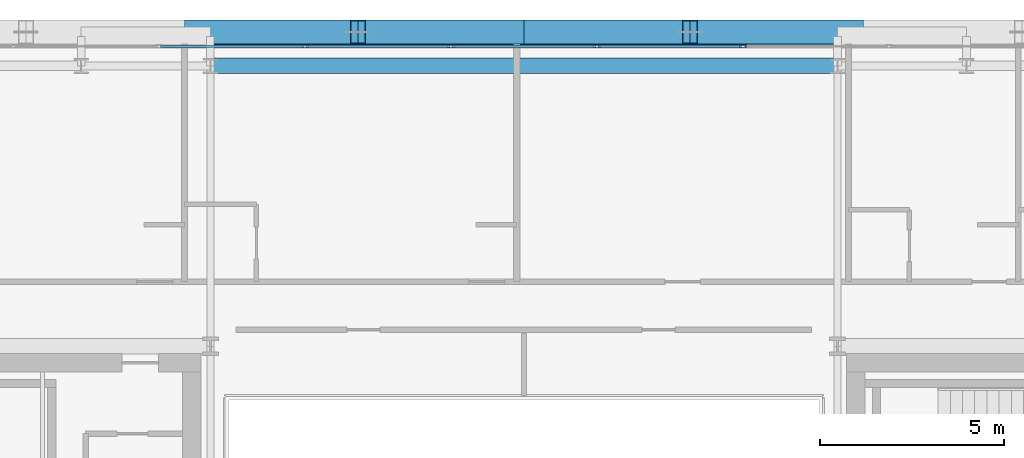
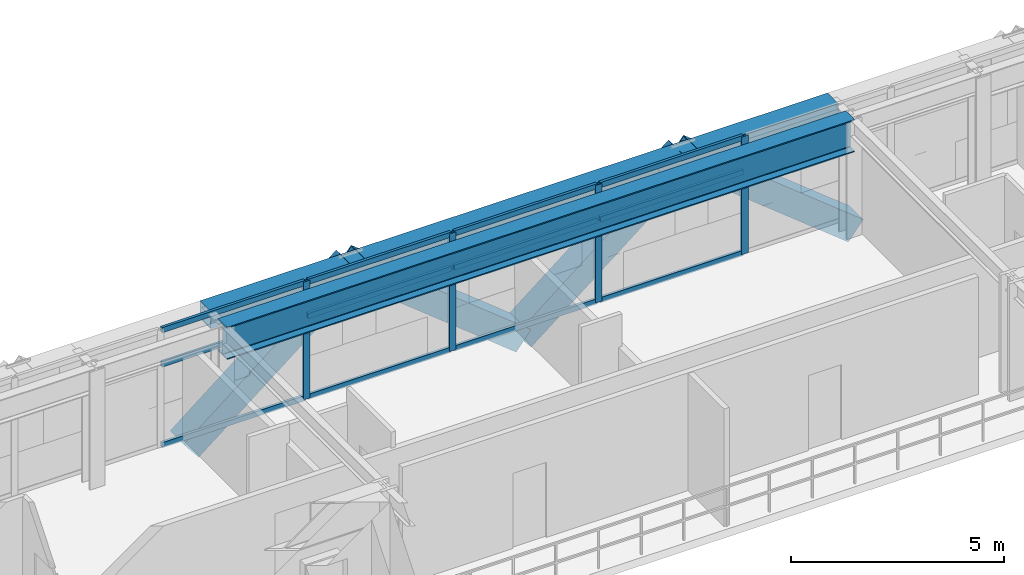
# One storey, part 17 of 31: 20 members, 2 beams, 1 element without a shape of its own.
"""IFC4 building model written with IfcOpenShell, lengths in metres."""

from ifc_helpers import new_model, si_unit, direction, frame, origin, origin_2d, place, context, subcontext, project, spatial, hollow_rectangle, i_section, extrude, source, transform, mapped, material, layer, layer_set, material_profile, profile_set, type_object, element, aggregate, save


model = new_model("IFC4")

# Units and contexts
model_context = context("Model", 3, precision=1e-05, world=origin(), true_north=direction((0.0, 1.0)))
body_context = subcontext(model_context, "Body", "Model", "MODEL_VIEW")
ifc_project = project(units=[si_unit("LENGTHUNIT", "METRE"), si_unit("AREAUNIT", "SQUARE_METRE"), si_unit("VOLUMEUNIT", "CUBIC_METRE"), si_unit("PLANEANGLEUNIT", "RADIAN"), si_unit("MASSUNIT", "GRAM", prefix="KILO")], contexts=[model_context])

# Site, building, storey
site_placement = place(None, origin())
site = spatial("IfcSite", under=ifc_project, at=site_placement, CompositionType="ELEMENT")
building_placement = place(site_placement, origin())
building = spatial("IfcBuilding", under=site, at=building_placement, Name="Ocotamira Hotel", CompositionType="ELEMENT")
storey_placement = place(building_placement, frame((0.0, 0.0, 174.0)))
storey = spatial("IfcBuildingStorey", under=building, at=storey_placement, Name="L43", CompositionType="ELEMENT", Elevation=174.0)

# Beams
ifc_material_1 = material(Name="Steel ASTM A992 Grade 50", Category="steel")
ifc_material_profile_1 = material_profile(ifc_material_1, i_section(OverallWidth=0.41796875, OverallDepth=0.927001953125, WebThickness=0.019287109375, FlangeThickness=0.031982421875, FilletRadius=0.02392578125, at=origin_2d()), Name="W36X231")
ifc_profile_set_1 = profile_set([ifc_material_profile_1], Name="Steel ASTM A992 Grade 50")
beam_type_1 = type_object("IfcBeamType", Name="BM-GIRD-W36X231", PredefinedType="BEAM", material=ifc_profile_set_1)
shared_shape_1 = source(origin(), body_context, "Body", "SweptSolid", [
    extrude(i_section(OverallWidth=0.41796875, OverallDepth=0.927001953125, WebThickness=0.019287109375, FlangeThickness=0.031982421875, FilletRadius=0.02392578125, at=origin_2d()), origin(), (0.0, 0.0, 1.0), 17.0),
])
beam_1_placement = place(storey_placement, frame((23.5, 45.050048828125, 2.906494140625), z_axis=(1.0, 0.0, 0.0), x_axis=(0.0, 1.0, 0.0)))
element("IfcBeam", 1, at=beam_1_placement, inside=storey, type_object=beam_type_1, Name="L43 Girder Y45.05 X23.5-40.5", PredefinedType="BEAM", context=body_context, shape_type="MappedRepresentation", body=[
    mapped(shared_shape_1, transform((0.0, 0.0, 0.0), scale=1.0)),
])
ifc_material_2 = material(Name="Steel ASTM A500 Grade C", Category="steel")
ifc_material_profile_2 = material_profile(ifc_material_2, hollow_rectangle(XDim=0.5, YDim=0.5, WallThickness=0.02001953125, at=origin_2d()), Name="HSS500X500X20")
ifc_profile_set_2 = profile_set([ifc_material_profile_2], Name="Steel ASTM A500 Grade C")
beam_type_2 = type_object("IfcBeamType", Name="BM-SPAN-HSS500", PredefinedType="USERDEFINED", material=ifc_profile_set_2)
shared_shape_2 = source(origin(), body_context, "Body", "SweptSolid", [
    extrude(hollow_rectangle(XDim=0.5, YDim=0.5, WallThickness=0.02001953125, at=origin_2d()), origin(), (0.0, 0.0, 1.0), 17.0),
])
beam_2_placement = place(storey_placement, frame((23.5, 45.85009765625, 3.1201171875), z_axis=(1.0, 0.0, 0.0), x_axis=(0.0, 1.0, 0.0)))
element("IfcBeam", 2, at=beam_2_placement, inside=storey, type_object=beam_type_2, Name="L43 Edge Spandrel N X23.5-40.5", ObjectType="SPANDREL", PredefinedType="USERDEFINED", context=body_context, shape_type="MappedRepresentation", body=[
    mapped(shared_shape_2, transform((0.0, 0.0, 0.0), scale=1.0)),
])

# Members
ifc_material_3 = material(Name="Pale-metal coated steel ASTM A913 Grade 65", Category="steel")
ifc_material_profile_3 = material_profile(ifc_material_3, hollow_rectangle(XDim=0.64990234375, YDim=0.64990234375, WallThickness=0.02197265625, at=origin_2d()), Name="BOX650X650X22")
ifc_profile_set_3 = profile_set([ifc_material_profile_3], Name="Pale-metal coated steel ASTM A913 Grade 65")
member_type_1 = type_object("IfcMemberType", Name="MEM-EXO-BOX650", PredefinedType="BRACE", material=ifc_profile_set_3)
shared_shape_3 = source(origin(), body_context, "Body", "SweptSolid", [
    extrude(hollow_rectangle(XDim=0.64990234375, YDim=0.64990234375, WallThickness=0.02197265625, at=origin_2d()), origin(), (0.0, 0.0, 1.0), 5.762939453125),
])
for number, where, z_axis, x_axis, name in (
    (3, (23.0, 45.969970703125, -0.47998046875), (0.780860543151, 0.0, 0.624705380279), (0.0, 1.0, 0.0), "L43 Exoskeleton Diagrid N1.1"),
    (4, (32.0, 45.969970703125, -0.47998046875), (-0.780860543151, 0.0, 0.624705380279), (0.0, -1.0, 0.0), "L43 Exoskeleton Diagrid N1.2"),
    (5, (32.0, 45.969970703125, -0.47998046875), (0.780860543151, 0.0, 0.624705380279), (0.0, 1.0, 0.0), "L43 Exoskeleton Diagrid N2.1"),
    (6, (41.0, 45.969970703125, -0.47998046875), (-0.780860543151, 0.0, 0.624705380279), (0.0, -1.0, 0.0), "L43 Exoskeleton Diagrid N2.2"),
):
    element("IfcMember", number, at=place(storey_placement, frame(where, z_axis=z_axis, x_axis=x_axis)), inside=storey, type_object=member_type_1, Name=name, PredefinedType="BRACE", context=body_context, shape_type="MappedRepresentation", body=[
        mapped(shared_shape_3, transform((0.0, 0.0, 0.0), scale=1.0)),
    ])

# Curtain wall, members
ifc_material_4 = material(Name="Anodised pale-metal aluminium and solar glass", Category="aluminium")
ifc_layer = layer(ifc_material_4, 0.199951171875)
ifc_layer_set = layer_set([ifc_layer], Name="Anodised pale-metal aluminium and solar glass")
curtain_wall_type = type_object("IfcCurtainWallType", Name="CW-SYS4-Z3", PredefinedType="NOTDEFINED", material=ifc_layer_set)
curtain_wall_placement = place(storey_placement, origin())
curtain_wall = element("IfcCurtainWall", 7, at=curtain_wall_placement, inside=storey, type_object=curtain_wall_type, Name="L43 Curtain Wall CW-4 CW-L43-N", PredefinedType="NOTDEFINED")
ifc_material_5 = material(Name="Anodised pale-metal aluminium 6063-T6", Category="aluminium")
ifc_material_profile_4 = material_profile(ifc_material_5, hollow_rectangle(XDim=0.074951171875, YDim=0.14990234375, WallThickness=0.006103515625, at=origin_2d()), Name="HSS150X75X6")
ifc_profile_set_4 = profile_set([ifc_material_profile_4], Name="Anodised pale-metal aluminium 6063-T6")
member_type_2 = type_object("IfcMemberType", Name="CWT-150X75", PredefinedType="USERDEFINED", material=ifc_profile_set_4)
shared_shape_4 = source(origin(), body_context, "Body", "SweptSolid", [
    extrude(hollow_rectangle(XDim=0.074951171875, YDim=0.14990234375, WallThickness=0.006103515625, at=origin_2d()), origin(), (0.0, 0.0, 1.0), 3.87548828125),
])
member_1_placement = place(storey_placement, frame((22.151123046875, 45.580078125, 0.03759765625), z_axis=(1.0, 0.0, 0.0), x_axis=(0.0, 1.0, 0.0)))
member_1 = element("IfcMember", 8, at=member_1_placement, type_object=member_type_2, Name="CW-4 transom 3.1", ObjectType="TRANSOM", PredefinedType="USERDEFINED", context=body_context, shape_type="MappedRepresentation", body=[
    mapped(shared_shape_4, transform((0.0, 0.0, 0.0), scale=1.0)),
])
member_2_placement = place(storey_placement, frame((22.151123046875, 45.580078125, 2.35009765625), z_axis=(1.0, 0.0, 0.0), x_axis=(0.0, 1.0, 0.0)))
member_2 = element("IfcMember", 9, at=member_2_placement, type_object=member_type_2, Name="CW-4 transom 3.2", ObjectType="TRANSOM", PredefinedType="USERDEFINED", context=body_context, shape_type="MappedRepresentation", body=[
    mapped(shared_shape_4, transform((0.0, 0.0, 0.0), scale=1.0)),
])
member_3_placement = place(storey_placement, frame((22.151123046875, 45.580078125, 3.33251953125), z_axis=(1.0, 0.0, 0.0), x_axis=(0.0, 1.0, 0.0)))
member_3 = element("IfcMember", 10, at=member_3_placement, type_object=member_type_2, Name="CW-4 transom 3.3", ObjectType="TRANSOM", PredefinedType="USERDEFINED", context=body_context, shape_type="MappedRepresentation", body=[
    mapped(shared_shape_4, transform((0.0, 0.0, 0.0), scale=1.0)),
])
member_4_placement = place(storey_placement, frame((26.106689453125, 45.580078125, 0.03759765625), z_axis=(1.0, 0.0, 0.0), x_axis=(0.0, 1.0, 0.0)))
member_4 = element("IfcMember", 11, at=member_4_placement, type_object=member_type_2, Name="CW-4 transom 4.1", ObjectType="TRANSOM", PredefinedType="USERDEFINED", context=body_context, shape_type="MappedRepresentation", body=[
    mapped(shared_shape_4, transform((0.0, 0.0, 0.0), scale=1.0)),
])
member_5_placement = place(storey_placement, frame((26.106689453125, 45.580078125, 2.35009765625), z_axis=(1.0, 0.0, 0.0), x_axis=(0.0, 1.0, 0.0)))
member_5 = element("IfcMember", 12, at=member_5_placement, type_object=member_type_2, Name="CW-4 transom 4.2", ObjectType="TRANSOM", PredefinedType="USERDEFINED", context=body_context, shape_type="MappedRepresentation", body=[
    mapped(shared_shape_4, transform((0.0, 0.0, 0.0), scale=1.0)),
])
member_6_placement = place(storey_placement, frame((26.106689453125, 45.580078125, 3.33251953125), z_axis=(1.0, 0.0, 0.0), x_axis=(0.0, 1.0, 0.0)))
member_6 = element("IfcMember", 13, at=member_6_placement, type_object=member_type_2, Name="CW-4 transom 4.3", ObjectType="TRANSOM", PredefinedType="USERDEFINED", context=body_context, shape_type="MappedRepresentation", body=[
    mapped(shared_shape_4, transform((0.0, 0.0, 0.0), scale=1.0)),
])
member_7_placement = place(storey_placement, frame((30.062255859375, 45.580078125, 0.03759765625), z_axis=(1.0, 0.0, 0.0), x_axis=(0.0, 1.0, 0.0)))
member_7 = element("IfcMember", 14, at=member_7_placement, type_object=member_type_2, Name="CW-4 transom 5.1", ObjectType="TRANSOM", PredefinedType="USERDEFINED", context=body_context, shape_type="MappedRepresentation", body=[
    mapped(shared_shape_4, transform((0.0, 0.0, 0.0), scale=1.0)),
])
member_8_placement = place(storey_placement, frame((30.062255859375, 45.580078125, 2.35009765625), z_axis=(1.0, 0.0, 0.0), x_axis=(0.0, 1.0, 0.0)))
member_8 = element("IfcMember", 15, at=member_8_placement, type_object=member_type_2, Name="CW-4 transom 5.2", ObjectType="TRANSOM", PredefinedType="USERDEFINED", context=body_context, shape_type="MappedRepresentation", body=[
    mapped(shared_shape_4, transform((0.0, 0.0, 0.0), scale=1.0)),
])
member_9_placement = place(storey_placement, frame((30.062255859375, 45.580078125, 3.33251953125), z_axis=(1.0, 0.0, 0.0), x_axis=(0.0, 1.0, 0.0)))
member_9 = element("IfcMember", 16, at=member_9_placement, type_object=member_type_2, Name="CW-4 transom 5.3", ObjectType="TRANSOM", PredefinedType="USERDEFINED", context=body_context, shape_type="MappedRepresentation", body=[
    mapped(shared_shape_4, transform((0.0, 0.0, 0.0), scale=1.0)),
])
member_10_placement = place(storey_placement, frame((34.017822265625, 45.580078125, 0.03759765625), z_axis=(1.0, 0.0, 0.0), x_axis=(0.0, 1.0, 0.0)))
member_10 = element("IfcMember", 17, at=member_10_placement, type_object=member_type_2, Name="CW-4 transom 6.1", ObjectType="TRANSOM", PredefinedType="USERDEFINED", context=body_context, shape_type="MappedRepresentation", body=[
    mapped(shared_shape_4, transform((0.0, 0.0, 0.0), scale=1.0)),
])
member_11_placement = place(storey_placement, frame((34.017822265625, 45.580078125, 2.35009765625), z_axis=(1.0, 0.0, 0.0), x_axis=(0.0, 1.0, 0.0)))
member_11 = element("IfcMember", 18, at=member_11_placement, type_object=member_type_2, Name="CW-4 transom 6.2", ObjectType="TRANSOM", PredefinedType="USERDEFINED", context=body_context, shape_type="MappedRepresentation", body=[
    mapped(shared_shape_4, transform((0.0, 0.0, 0.0), scale=1.0)),
])
member_12_placement = place(storey_placement, frame((34.017822265625, 45.580078125, 3.33251953125), z_axis=(1.0, 0.0, 0.0), x_axis=(0.0, 1.0, 0.0)))
member_12 = element("IfcMember", 19, at=member_12_placement, type_object=member_type_2, Name="CW-4 transom 6.3", ObjectType="TRANSOM", PredefinedType="USERDEFINED", context=body_context, shape_type="MappedRepresentation", body=[
    mapped(shared_shape_4, transform((0.0, 0.0, 0.0), scale=1.0)),
])
ifc_material_profile_5 = material_profile(ifc_material_5, hollow_rectangle(XDim=0.080078125, YDim=0.179931640625, WallThickness=0.006103515625, at=origin_2d()), Name="HSS180X80X6")
ifc_profile_set_5 = profile_set([ifc_material_profile_5], Name="Anodised pale-metal aluminium 6063-T6")
member_type_3 = type_object("IfcMemberType", Name="CWM-180X75", PredefinedType="MULLION", material=ifc_profile_set_5)
shared_shape_5 = source(origin(), body_context, "Body", "SweptSolid", [
    extrude(hollow_rectangle(XDim=0.080078125, YDim=0.179931640625, WallThickness=0.006103515625, at=origin_2d()), origin(), (0.0, 0.0, 1.0), 3.3701171875),
])
member_13_placement = place(storey_placement, frame((26.066650390625, 45.580078125, 0.0), z_axis=(0.0, 0.0, 1.0), x_axis=(0.0, 1.0, 0.0)))
member_13 = element("IfcMember", 20, at=member_13_placement, type_object=member_type_3, Name="CW-4 mullion 4", PredefinedType="MULLION", context=body_context, shape_type="MappedRepresentation", body=[
    mapped(shared_shape_5, transform((0.0, 0.0, 0.0), scale=1.0)),
])
member_14_placement = place(storey_placement, frame((30.022216796875, 45.580078125, 0.0), z_axis=(0.0, 0.0, 1.0), x_axis=(0.0, 1.0, 0.0)))
member_14 = element("IfcMember", 21, at=member_14_placement, type_object=member_type_3, Name="CW-4 mullion 5", PredefinedType="MULLION", context=body_context, shape_type="MappedRepresentation", body=[
    mapped(shared_shape_5, transform((0.0, 0.0, 0.0), scale=1.0)),
])
member_15_placement = place(storey_placement, frame((33.977783203125, 45.580078125, 0.0), z_axis=(0.0, 0.0, 1.0), x_axis=(0.0, 1.0, 0.0)))
member_15 = element("IfcMember", 22, at=member_15_placement, type_object=member_type_3, Name="CW-4 mullion 6", PredefinedType="MULLION", context=body_context, shape_type="MappedRepresentation", body=[
    mapped(shared_shape_5, transform((0.0, 0.0, 0.0), scale=1.0)),
])
member_16_placement = place(storey_placement, frame((37.933349609375, 45.580078125, 0.0), z_axis=(0.0, 0.0, 1.0), x_axis=(0.0, 1.0, 0.0)))
member_16 = element("IfcMember", 23, at=member_16_placement, type_object=member_type_3, Name="CW-4 mullion 7", PredefinedType="MULLION", context=body_context, shape_type="MappedRepresentation", body=[
    mapped(shared_shape_5, transform((0.0, 0.0, 0.0), scale=1.0)),
])
aggregate(curtain_wall, [member_13, member_14, member_15, member_16, member_1, member_2, member_3, member_4, member_5, member_6, member_7, member_8, member_9, member_10, member_11, member_12])

save(model, "model.ifc")
